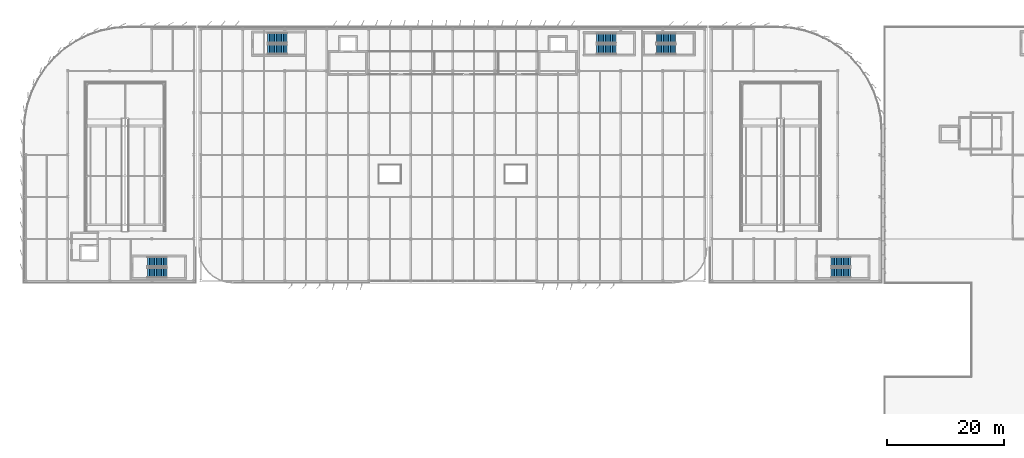
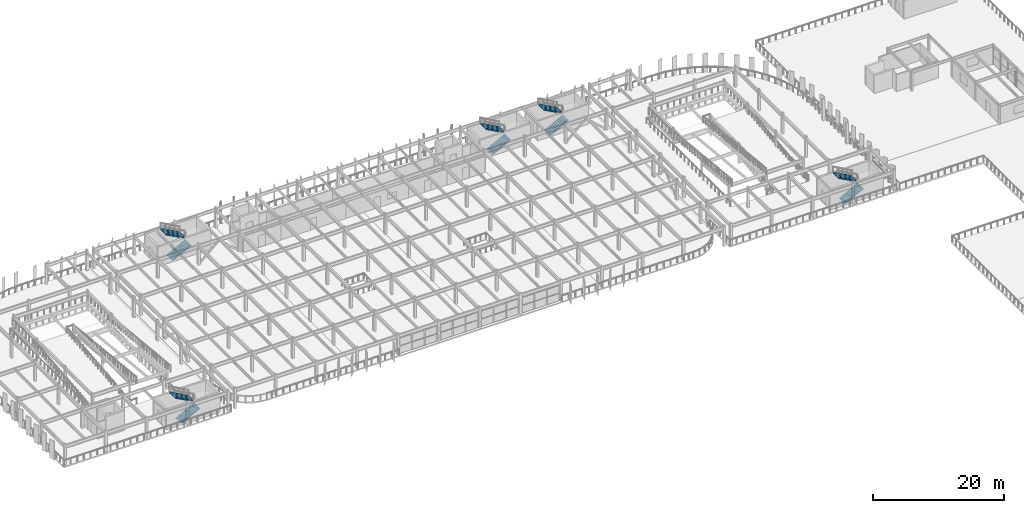
# One storey, part 38 of 52: 10 stair flights, 5 elements without a shape of their own.
"""IFC4 building model written with IfcOpenShell, lengths in metres."""

from ifc_helpers import new_model, si_unit, direction, frame, origin, place, context, subcontext, project, spatial, polyline, outline, extrude, material, layer, layer_set, type_object, element, aggregate, save


model = new_model("IFC4")

# Units and contexts
model_context = context("Model", 3, precision=1e-05, world=origin(), true_north=direction((0.0, 1.0)))
body_context = subcontext(model_context, "Body", "Model", "MODEL_VIEW")
ifc_project = project(units=[si_unit("LENGTHUNIT", "METRE"), si_unit("AREAUNIT", "SQUARE_METRE"), si_unit("VOLUMEUNIT", "CUBIC_METRE"), si_unit("PLANEANGLEUNIT", "RADIAN"), si_unit("MASSUNIT", "GRAM", prefix="KILO")], contexts=[model_context])

# Site, building, storey
site_placement = place(None, origin())
site = spatial("IfcSite", under=ifc_project, at=site_placement, CompositionType="ELEMENT")
building_placement = place(site_placement, origin())
building = spatial("IfcBuilding", under=site, at=building_placement, Name="Vaelcorin Mobility Hub", CompositionType="ELEMENT")
storey_placement = place(building_placement, frame((0.0, 0.0, 13.199951171875)))
storey = spatial("IfcBuildingStorey", under=building, at=storey_placement, Name="L03", CompositionType="ELEMENT", Elevation=13.199951171875)

# Stair, stair flights
ifc_material = material(Name="Reinforced concrete f'c 45 MPa", Category="concrete")
stair_type_1 = type_object("IfcStairType", Name="STAIR-ST1", PredefinedType="HALF_TURN_STAIR", material=ifc_material)
stair_1_placement = place(storey_placement, origin())
stair_1 = element("IfcStair", 1, at=stair_1_placement, inside=storey, type_object=stair_type_1, Name="L03 Protected Exit Stair ST1", PredefinedType="HALF_TURN_STAIR")
ifc_layer_1 = layer(ifc_material, 0.2080078125)
ifc_layer_set_1 = layer_set([ifc_layer_1], Name="Reinforced concrete f'c 45 MPa")
stair_flight_type_1 = type_object("IfcStairFlightType", Name="FLT-ST1", PredefinedType="STRAIGHT", material=ifc_layer_set_1)
stair_flight_1_placement = place(storey_placement, frame((26.85009765625, 78.18994140625, 0.0), z_axis=(0.0, 0.0, 1.0), x_axis=(1.0, 0.0, 0.0)))
stair_flight_1 = element("IfcStairFlight", 2, at=stair_flight_1_placement, type_object=stair_flight_type_1, Name="ST1 flight 1", NumberOfRisers=12, NumberOfTreads=11, PredefinedType="STRAIGHT", RiserHeight=0.1625, TreadLength=0.3, context=body_context, shape_type="SweptSolid", body=[
    extrude(outline(polyline([(0.0, 0.0), (0.0, 0.16259765625), (0.300048828125, 0.16259765625), (0.300048828125, 0.324951171875), (0.60009765625, 0.324951171875), (0.60009765625, 0.487548828125), (0.89990234375, 0.487548828125), (0.89990234375, 0.64990234375), (1.199951171875, 0.64990234375), (1.199951171875, 0.8125), (1.5, 0.8125), (1.5, 0.97509765625), (1.800048828125, 0.97509765625), (1.800048828125, 1.137451171875), (2.10009765625, 1.137451171875), (2.10009765625, 1.300048828125), (2.39990234375, 1.300048828125), (2.39990234375, 1.46240234375), (2.699951171875, 1.46240234375), (2.699951171875, 1.625), (3.0, 1.625), (3.0, 1.78759765625), (3.300048828125, 1.78759765625), (3.300048828125, 1.949951171875), (3.300048828125, 1.605712890625), (0.335693359375, 0.0), (0.0, 0.0)])), frame((0.0, 0.83984375, 0.0), z_axis=(0.0, -1.0, 0.0), x_axis=(1.0, 0.0, 0.0)), (0.0, 0.0, 1.0), 1.679931640625),
])
stair_flight_2_placement = place(storey_placement, frame((30.14990234375, 80.070068359375, 1.949951171875), z_axis=(0.0, 0.0, 1.0), x_axis=(-1.0, 0.0, 0.0)))
stair_flight_2 = element("IfcStairFlight", 3, at=stair_flight_2_placement, type_object=stair_flight_type_1, Name="ST1 flight 2", NumberOfRisers=12, NumberOfTreads=11, PredefinedType="STRAIGHT", RiserHeight=0.1625, TreadLength=0.3, context=body_context, shape_type="SweptSolid", body=[
    extrude(outline(polyline([(0.0, 0.0), (0.0, 0.16259765625), (0.300048828125, 0.16259765625), (0.300048828125, 0.324951171875), (0.60009765625, 0.324951171875), (0.60009765625, 0.487548828125), (0.89990234375, 0.487548828125), (0.89990234375, 0.64990234375), (1.199951171875, 0.64990234375), (1.199951171875, 0.8125), (1.5, 0.8125), (1.5, 0.97509765625), (1.800048828125, 0.97509765625), (1.800048828125, 1.137451171875), (2.10009765625, 1.137451171875), (2.10009765625, 1.300048828125), (2.39990234375, 1.300048828125), (2.39990234375, 1.46240234375), (2.699951171875, 1.46240234375), (2.699951171875, 1.625), (3.0, 1.625), (3.0, 1.78759765625), (3.300048828125, 1.78759765625), (3.300048828125, 1.949951171875), (3.300048828125, 1.605712890625), (0.335693359375, 0.0), (0.0, 0.0)])), frame((0.0, 0.83984375, 0.0), z_axis=(0.0, -1.0, 0.0), x_axis=(1.0, 0.0, 0.0)), (0.0, 0.0, 1.0), 1.679931640625),
])
aggregate(stair_1, [stair_flight_1, stair_flight_2])

stair_type_2 = type_object("IfcStairType", Name="STAIR-ST2", PredefinedType="HALF_TURN_STAIR", material=ifc_material)
stair_2_placement = place(storey_placement, origin())
stair_2 = element("IfcStair", 4, at=stair_2_placement, inside=storey, type_object=stair_type_2, Name="L03 Protected Exit Stair ST2", PredefinedType="HALF_TURN_STAIR")
ifc_layer_2 = layer(ifc_material, 0.216064453125)
ifc_layer_set_2 = layer_set([ifc_layer_2], Name="Reinforced concrete f'c 45 MPa")
stair_flight_type_2 = type_object("IfcStairFlightType", Name="FLT-ST2", PredefinedType="STRAIGHT", material=ifc_layer_set_2)
stair_flight_3_placement = place(storey_placement, frame((144.050048828125, 78.18994140625, 0.0), z_axis=(0.0, 0.0, 1.0), x_axis=(1.0, 0.0, 0.0)))
stair_flight_3 = element("IfcStairFlight", 5, at=stair_flight_3_placement, type_object=stair_flight_type_2, Name="ST2 flight 1", NumberOfRisers=12, NumberOfTreads=11, PredefinedType="STRAIGHT", RiserHeight=0.1625, TreadLength=0.3, context=body_context, shape_type="SweptSolid", body=[
    extrude(outline(polyline([(0.0, 0.0), (0.0, 0.16259765625), (0.300048828125, 0.16259765625), (0.300048828125, 0.324951171875), (0.60009765625, 0.324951171875), (0.60009765625, 0.487548828125), (0.89990234375, 0.487548828125), (0.89990234375, 0.64990234375), (1.199951171875, 0.64990234375), (1.199951171875, 0.8125), (1.5, 0.8125), (1.5, 0.97509765625), (1.800048828125, 0.97509765625), (1.800048828125, 1.137451171875), (2.10009765625, 1.137451171875), (2.10009765625, 1.300048828125), (2.39990234375, 1.300048828125), (2.39990234375, 1.46240234375), (2.699951171875, 1.46240234375), (2.699951171875, 1.625), (3.0, 1.625), (3.0, 1.78759765625), (3.300048828125, 1.78759765625), (3.300048828125, 1.949951171875), (3.300048828125, 1.605712890625), (0.335693359375, 0.0), (0.0, 0.0)])), frame((0.0, 0.83984375, 0.0), z_axis=(0.0, -1.0, 0.0), x_axis=(1.0, 0.0, 0.0)), (0.0, 0.0, 1.0), 1.679931640625),
])
stair_flight_4_placement = place(storey_placement, frame((147.35009765625, 80.070068359375, 1.949951171875), z_axis=(0.0, 0.0, 1.0), x_axis=(-1.0, 0.0, 0.0)))
stair_flight_4 = element("IfcStairFlight", 6, at=stair_flight_4_placement, type_object=stair_flight_type_2, Name="ST2 flight 2", NumberOfRisers=12, NumberOfTreads=11, PredefinedType="STRAIGHT", RiserHeight=0.1625, TreadLength=0.3, context=body_context, shape_type="SweptSolid", body=[
    extrude(outline(polyline([(0.0, 0.0), (0.0, 0.16259765625), (0.300048828125, 0.16259765625), (0.300048828125, 0.324951171875), (0.60009765625, 0.324951171875), (0.60009765625, 0.487548828125), (0.89990234375, 0.487548828125), (0.89990234375, 0.64990234375), (1.199951171875, 0.64990234375), (1.199951171875, 0.8125), (1.5, 0.8125), (1.5, 0.97509765625), (1.800048828125, 0.97509765625), (1.800048828125, 1.137451171875), (2.10009765625, 1.137451171875), (2.10009765625, 1.300048828125), (2.39990234375, 1.300048828125), (2.39990234375, 1.46240234375), (2.699951171875, 1.46240234375), (2.699951171875, 1.625), (3.0, 1.625), (3.0, 1.78759765625), (3.300048828125, 1.78759765625), (3.300048828125, 1.949951171875), (3.300048828125, 1.605712890625), (0.335693359375, 0.0), (0.0, 0.0)])), frame((0.0, 0.83984375, 0.0), z_axis=(0.0, -1.0, 0.0), x_axis=(1.0, 0.0, 0.0)), (0.0, 0.0, 1.0), 1.679931640625),
])
aggregate(stair_2, [stair_flight_3, stair_flight_4])

stair_type_3 = type_object("IfcStairType", Name="STAIR-ST3", PredefinedType="HALF_TURN_STAIR", material=ifc_material)
stair_3_placement = place(storey_placement, origin())
stair_3 = element("IfcStair", 7, at=stair_3_placement, inside=storey, type_object=stair_type_3, Name="L03 Protected Exit Stair ST3", PredefinedType="HALF_TURN_STAIR")
ifc_layer_3 = layer(ifc_material, 0.22412109375)
ifc_layer_set_3 = layer_set([ifc_layer_3], Name="Reinforced concrete f'c 45 MPa")
stair_flight_type_3 = type_object("IfcStairFlightType", Name="FLT-ST3", PredefinedType="STRAIGHT", material=ifc_layer_set_3)
stair_flight_5_placement = place(storey_placement, frame((47.449951171875, 116.52001953125, 0.0), z_axis=(0.0, 0.0, 1.0), x_axis=(1.0, 0.0, 0.0)))
stair_flight_5 = element("IfcStairFlight", 8, at=stair_flight_5_placement, type_object=stair_flight_type_3, Name="ST3 flight 1", NumberOfRisers=12, NumberOfTreads=11, PredefinedType="STRAIGHT", RiserHeight=0.1625, TreadLength=0.3, context=body_context, shape_type="SweptSolid", body=[
    extrude(outline(polyline([(0.0, 0.0), (0.0, 0.16259765625), (0.300048828125, 0.16259765625), (0.300048828125, 0.324951171875), (0.60009765625, 0.324951171875), (0.60009765625, 0.487548828125), (0.89990234375, 0.487548828125), (0.89990234375, 0.64990234375), (1.199951171875, 0.64990234375), (1.199951171875, 0.8125), (1.5, 0.8125), (1.5, 0.97509765625), (1.800048828125, 0.97509765625), (1.800048828125, 1.137451171875), (2.10009765625, 1.137451171875), (2.10009765625, 1.300048828125), (2.39990234375, 1.300048828125), (2.39990234375, 1.46240234375), (2.699951171875, 1.46240234375), (2.699951171875, 1.625), (3.0, 1.625), (3.0, 1.78759765625), (3.300048828125, 1.78759765625), (3.300048828125, 1.949951171875), (3.300048828125, 1.605712890625), (0.335693359375, 0.0), (0.0, 0.0)])), frame((0.0, 0.8701171875, 0.0), z_axis=(0.0, -1.0, 0.0), x_axis=(1.0, 0.0, 0.0)), (0.0, 0.0, 1.0), 1.739990234375),
])
stair_flight_6_placement = place(storey_placement, frame((50.75, 118.4599609375, 1.949951171875), z_axis=(0.0, 0.0, 1.0), x_axis=(-1.0, 0.0, 0.0)))
stair_flight_6 = element("IfcStairFlight", 9, at=stair_flight_6_placement, type_object=stair_flight_type_3, Name="ST3 flight 2", NumberOfRisers=12, NumberOfTreads=11, PredefinedType="STRAIGHT", RiserHeight=0.1625, TreadLength=0.3, context=body_context, shape_type="SweptSolid", body=[
    extrude(outline(polyline([(0.0, 0.0), (0.0, 0.16259765625), (0.300048828125, 0.16259765625), (0.300048828125, 0.324951171875), (0.60009765625, 0.324951171875), (0.60009765625, 0.487548828125), (0.89990234375, 0.487548828125), (0.89990234375, 0.64990234375), (1.199951171875, 0.64990234375), (1.199951171875, 0.8125), (1.5, 0.8125), (1.5, 0.97509765625), (1.800048828125, 0.97509765625), (1.800048828125, 1.137451171875), (2.10009765625, 1.137451171875), (2.10009765625, 1.300048828125), (2.39990234375, 1.300048828125), (2.39990234375, 1.46240234375), (2.699951171875, 1.46240234375), (2.699951171875, 1.625), (3.0, 1.625), (3.0, 1.78759765625), (3.300048828125, 1.78759765625), (3.300048828125, 1.949951171875), (3.300048828125, 1.605712890625), (0.335693359375, 0.0), (0.0, 0.0)])), frame((0.0, 0.8701171875, 0.0), z_axis=(0.0, -1.0, 0.0), x_axis=(1.0, 0.0, 0.0)), (0.0, 0.0, 1.0), 1.739990234375),
])
aggregate(stair_3, [stair_flight_5, stair_flight_6])

stair_type_4 = type_object("IfcStairType", Name="STAIR-ST4", PredefinedType="HALF_TURN_STAIR", material=ifc_material)
stair_4_placement = place(storey_placement, origin())
stair_4 = element("IfcStair", 10, at=stair_4_placement, inside=storey, type_object=stair_type_4, Name="L03 Protected Exit Stair ST4", PredefinedType="HALF_TURN_STAIR")
ifc_layer_4 = layer(ifc_material, 0.23193359375)
ifc_layer_set_4 = layer_set([ifc_layer_4], Name="Reinforced concrete f'c 45 MPa")
stair_flight_type_4 = type_object("IfcStairFlightType", Name="FLT-ST4", PredefinedType="STRAIGHT", material=ifc_layer_set_4)
stair_flight_7_placement = place(storey_placement, frame((103.85009765625, 116.489990234375, 0.0), z_axis=(0.0, 0.0, 1.0), x_axis=(1.0, 0.0, 0.0)))
stair_flight_7 = element("IfcStairFlight", 11, at=stair_flight_7_placement, type_object=stair_flight_type_4, Name="ST4 flight 1", NumberOfRisers=12, NumberOfTreads=11, PredefinedType="STRAIGHT", RiserHeight=0.1625, TreadLength=0.3, context=body_context, shape_type="SweptSolid", body=[
    extrude(outline(polyline([(0.0, 0.0), (0.0, 0.16259765625), (0.300048828125, 0.16259765625), (0.300048828125, 0.324951171875), (0.60009765625, 0.324951171875), (0.60009765625, 0.487548828125), (0.89990234375, 0.487548828125), (0.89990234375, 0.64990234375), (1.199951171875, 0.64990234375), (1.199951171875, 0.8125), (1.5, 0.8125), (1.5, 0.97509765625), (1.800048828125, 0.97509765625), (1.800048828125, 1.137451171875), (2.10009765625, 1.137451171875), (2.10009765625, 1.300048828125), (2.39990234375, 1.300048828125), (2.39990234375, 1.46240234375), (2.699951171875, 1.46240234375), (2.699951171875, 1.625), (3.0, 1.625), (3.0, 1.78759765625), (3.300048828125, 1.78759765625), (3.300048828125, 1.949951171875), (3.300048828125, 1.605712890625), (0.335693359375, 0.0), (0.0, 0.0)])), frame((0.0, 0.83984375, 0.0), z_axis=(0.0, -1.0, 0.0), x_axis=(1.0, 0.0, 0.0)), (0.0, 0.0, 1.0), 1.679931640625),
])
stair_flight_8_placement = place(storey_placement, frame((107.14990234375, 118.3701171875, 1.949951171875), z_axis=(0.0, 0.0, 1.0), x_axis=(-1.0, 0.0, 0.0)))
stair_flight_8 = element("IfcStairFlight", 12, at=stair_flight_8_placement, type_object=stair_flight_type_4, Name="ST4 flight 2", NumberOfRisers=12, NumberOfTreads=11, PredefinedType="STRAIGHT", RiserHeight=0.1625, TreadLength=0.3, context=body_context, shape_type="SweptSolid", body=[
    extrude(outline(polyline([(0.0, 0.0), (0.0, 0.16259765625), (0.300048828125, 0.16259765625), (0.300048828125, 0.324951171875), (0.60009765625, 0.324951171875), (0.60009765625, 0.487548828125), (0.89990234375, 0.487548828125), (0.89990234375, 0.64990234375), (1.199951171875, 0.64990234375), (1.199951171875, 0.8125), (1.5, 0.8125), (1.5, 0.97509765625), (1.800048828125, 0.97509765625), (1.800048828125, 1.137451171875), (2.10009765625, 1.137451171875), (2.10009765625, 1.300048828125), (2.39990234375, 1.300048828125), (2.39990234375, 1.46240234375), (2.699951171875, 1.46240234375), (2.699951171875, 1.625), (3.0, 1.625), (3.0, 1.78759765625), (3.300048828125, 1.78759765625), (3.300048828125, 1.949951171875), (3.300048828125, 1.605712890625), (0.335693359375, 0.0), (0.0, 0.0)])), frame((0.0, 0.83984375, 0.0), z_axis=(0.0, -1.0, 0.0), x_axis=(1.0, 0.0, 0.0)), (0.0, 0.0, 1.0), 1.679931640625),
])
aggregate(stair_4, [stair_flight_7, stair_flight_8])

stair_type_5 = type_object("IfcStairType", Name="STAIR-ST9", PredefinedType="HALF_TURN_STAIR", material=ifc_material)
stair_5_placement = place(storey_placement, origin())
stair_5 = element("IfcStair", 13, at=stair_5_placement, inside=storey, type_object=stair_type_5, Name="L03 Protected Exit Stair ST9", PredefinedType="HALF_TURN_STAIR")
ifc_layer_5 = layer(ifc_material, 0.27197265625)
ifc_layer_set_5 = layer_set([ifc_layer_5], Name="Reinforced concrete f'c 45 MPa")
stair_flight_type_5 = type_object("IfcStairFlightType", Name="FLT-ST9", PredefinedType="STRAIGHT", material=ifc_layer_set_5)
stair_flight_9_placement = place(storey_placement, frame((114.10009765625, 116.489990234375, 0.0), z_axis=(0.0, 0.0, 1.0), x_axis=(1.0, 0.0, 0.0)))
stair_flight_9 = element("IfcStairFlight", 14, at=stair_flight_9_placement, type_object=stair_flight_type_5, Name="ST9 flight 1", NumberOfRisers=12, NumberOfTreads=11, PredefinedType="STRAIGHT", RiserHeight=0.1625, TreadLength=0.3, context=body_context, shape_type="SweptSolid", body=[
    extrude(outline(polyline([(0.0, 0.0), (0.0, 0.16259765625), (0.300048828125, 0.16259765625), (0.300048828125, 0.324951171875), (0.60009765625, 0.324951171875), (0.60009765625, 0.487548828125), (0.89990234375, 0.487548828125), (0.89990234375, 0.64990234375), (1.199951171875, 0.64990234375), (1.199951171875, 0.8125), (1.5, 0.8125), (1.5, 0.97509765625), (1.800048828125, 0.97509765625), (1.800048828125, 1.137451171875), (2.10009765625, 1.137451171875), (2.10009765625, 1.300048828125), (2.39990234375, 1.300048828125), (2.39990234375, 1.46240234375), (2.699951171875, 1.46240234375), (2.699951171875, 1.625), (3.0, 1.625), (3.0, 1.78759765625), (3.300048828125, 1.78759765625), (3.300048828125, 1.949951171875), (3.300048828125, 1.605712890625), (0.335693359375, 0.0), (0.0, 0.0)])), frame((0.0, 0.83984375, 0.0), z_axis=(0.0, -1.0, 0.0), x_axis=(1.0, 0.0, 0.0)), (0.0, 0.0, 1.0), 1.679931640625),
])
stair_flight_10_placement = place(storey_placement, frame((117.39990234375, 118.3701171875, 1.949951171875), z_axis=(0.0, 0.0, 1.0), x_axis=(-1.0, 0.0, 0.0)))
stair_flight_10 = element("IfcStairFlight", 15, at=stair_flight_10_placement, type_object=stair_flight_type_5, Name="ST9 flight 2", NumberOfRisers=12, NumberOfTreads=11, PredefinedType="STRAIGHT", RiserHeight=0.1625, TreadLength=0.3, context=body_context, shape_type="SweptSolid", body=[
    extrude(outline(polyline([(0.0, 0.0), (0.0, 0.16259765625), (0.300048828125, 0.16259765625), (0.300048828125, 0.324951171875), (0.60009765625, 0.324951171875), (0.60009765625, 0.487548828125), (0.89990234375, 0.487548828125), (0.89990234375, 0.64990234375), (1.199951171875, 0.64990234375), (1.199951171875, 0.8125), (1.5, 0.8125), (1.5, 0.97509765625), (1.800048828125, 0.97509765625), (1.800048828125, 1.137451171875), (2.10009765625, 1.137451171875), (2.10009765625, 1.300048828125), (2.39990234375, 1.300048828125), (2.39990234375, 1.46240234375), (2.699951171875, 1.46240234375), (2.699951171875, 1.625), (3.0, 1.625), (3.0, 1.78759765625), (3.300048828125, 1.78759765625), (3.300048828125, 1.949951171875), (3.300048828125, 1.605712890625), (0.335693359375, 0.0), (0.0, 0.0)])), frame((0.0, 0.83984375, 0.0), z_axis=(0.0, -1.0, 0.0), x_axis=(1.0, 0.0, 0.0)), (0.0, 0.0, 1.0), 1.679931640625),
])
aggregate(stair_5, [stair_flight_9, stair_flight_10])

save(model, "model.ifc")
